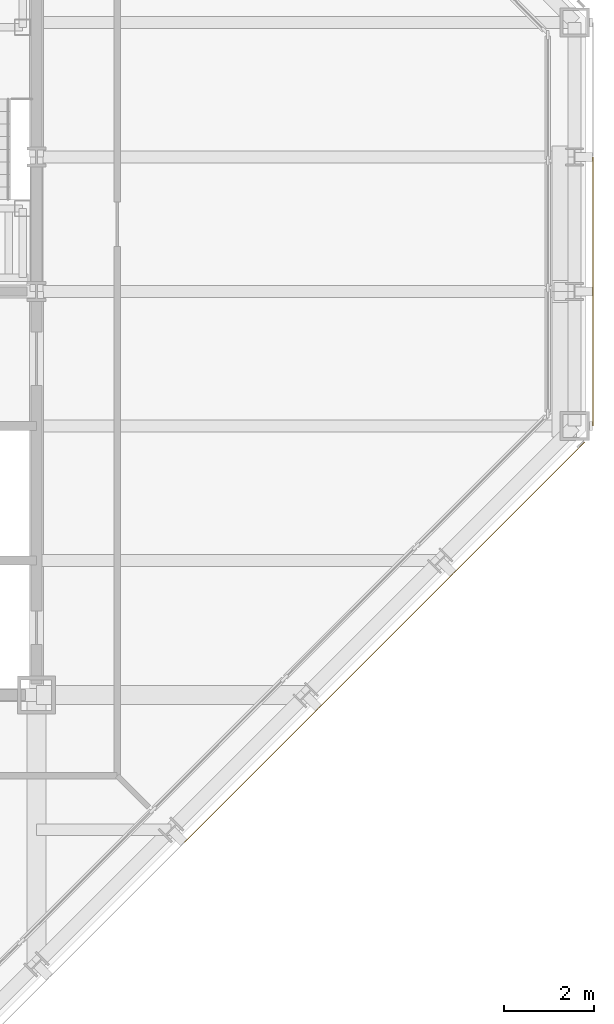
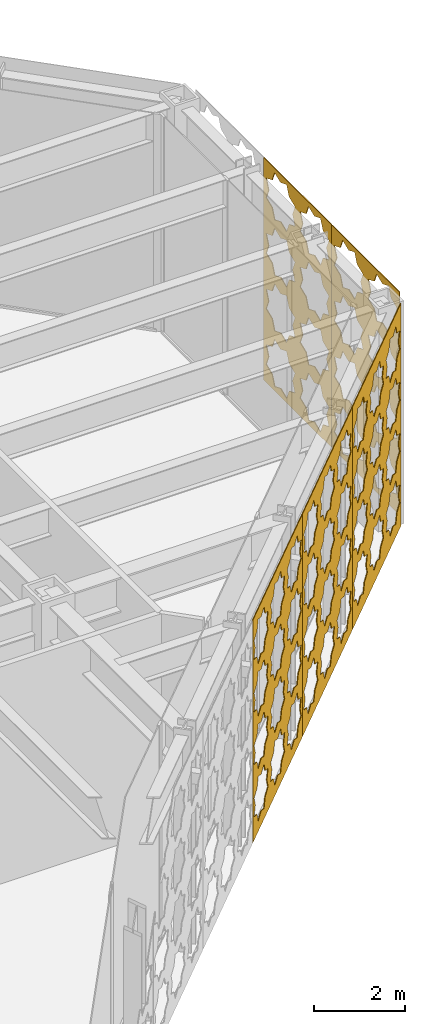
# One storey, part 24 of 28: 5 coverings.
"""IFC4 building model written with IfcOpenShell, lengths in metres."""

from ifc_helpers import new_model, si_unit, direction, frame, origin, place, context, subcontext, project, spatial, polyline, outline, extrude, material, layer, layer_set, type_object, element, save


model = new_model("IFC4")

# Units and contexts
model_context = context("Model", 3, precision=1e-05, world=origin(), true_north=direction((0.0, 1.0)))
body_context = subcontext(model_context, "Body", "Model", "MODEL_VIEW")
ifc_project = project(units=[si_unit("LENGTHUNIT", "METRE"), si_unit("AREAUNIT", "SQUARE_METRE"), si_unit("VOLUMEUNIT", "CUBIC_METRE"), si_unit("PLANEANGLEUNIT", "RADIAN"), si_unit("MASSUNIT", "GRAM", prefix="KILO")], contexts=[model_context])

# Site, building, storey
site_placement = place(None, origin())
site = spatial("IfcSite", under=ifc_project, at=site_placement, CompositionType="ELEMENT")
building_placement = place(site_placement, origin())
building = spatial("IfcBuilding", under=site, at=building_placement, Name="Chuquiago Exchange Tower", CompositionType="ELEMENT")
storey_placement = place(building_placement, frame((0.0, 0.0, 300.0)))
storey = spatial("IfcBuildingStorey", under=building, at=storey_placement, Name="L67", CompositionType="ELEMENT", Elevation=300.0)

# Coverings
ifc_material_1 = material(Name="Anodised aluminium, pale", Category="aluminium")
ifc_layer_1 = layer(ifc_material_1, 0.02001953125)
ifc_layer_set_1 = layer_set([ifc_layer_1], Name="GC3 girih cladding panel 20")
covering_type_1 = type_object("IfcCoveringType", Name="GC3 girih cladding panel 20", PredefinedType="CLADDING", material=ifc_layer_set_1)
covering_1_placement = place(storey_placement, frame((45.39990234375, 18.0048828125, 0.0048828125), z_axis=(0.0, 0.0, 1.0), x_axis=(0.0, 1.0, 0.0)))
element("IfcCovering", 1, at=covering_1_placement, inside=storey, type_object=covering_type_1, Name="Girih cladding panel L67 E 1", PredefinedType="CLADDING", context=body_context, shape_type="SweptSolid", body=[
    extrude(outline(polyline([(0.0, 0.0), (2.989990234375, 0.0), (2.989990234375, 5.990234375), (0.0, 5.990234375), (0.0, 0.0)]), holes=[polyline([(1.27392578125, 0.752685546875), (1.3828125, 1.015869140625), (1.11962890625, 1.124755859375), (1.0107421875, 1.387939453125), (0.74755859375, 1.279052734375), (0.484375, 1.387939453125), (0.375244140625, 1.124755859375), (0.112060546875, 1.015869140625), (0.22119140625, 0.752685546875), (0.112060546875, 0.489501953125), (0.375244140625, 0.38037109375), (0.484375, 0.1171875), (0.74755859375, 0.226318359375), (1.0107421875, 0.1171875), (1.11962890625, 0.38037109375), (1.3828125, 0.489501953125), (1.27392578125, 0.752685546875)]), polyline([(2.768798828125, 0.752685546875), (2.8779296875, 1.015869140625), (2.61474609375, 1.124755859375), (2.505615234375, 1.387939453125), (2.242431640625, 1.279052734375), (1.979248046875, 1.387939453125), (1.870361328125, 1.124755859375), (1.607177734375, 1.015869140625), (1.716064453125, 0.752685546875), (1.607177734375, 0.489501953125), (1.870361328125, 0.38037109375), (1.979248046875, 0.1171875), (2.242431640625, 0.226318359375), (2.505615234375, 0.1171875), (2.61474609375, 0.38037109375), (2.8779296875, 0.489501953125), (2.768798828125, 0.752685546875)]), polyline([(1.27392578125, 2.24755859375), (1.3828125, 2.5107421875), (1.11962890625, 2.619873046875), (1.0107421875, 2.883056640625), (0.74755859375, 2.77392578125), (0.484375, 2.883056640625), (0.375244140625, 2.619873046875), (0.112060546875, 2.5107421875), (0.22119140625, 2.24755859375), (0.112060546875, 1.984375), (0.375244140625, 1.87548828125), (0.484375, 1.6123046875), (0.74755859375, 1.72119140625), (1.0107421875, 1.6123046875), (1.11962890625, 1.87548828125), (1.3828125, 1.984375), (1.27392578125, 2.24755859375)]), polyline([(2.768798828125, 2.24755859375), (2.8779296875, 2.5107421875), (2.61474609375, 2.619873046875), (2.505615234375, 2.883056640625), (2.242431640625, 2.77392578125), (1.979248046875, 2.883056640625), (1.870361328125, 2.619873046875), (1.607177734375, 2.5107421875), (1.716064453125, 2.24755859375), (1.607177734375, 1.984375), (1.870361328125, 1.87548828125), (1.979248046875, 1.6123046875), (2.242431640625, 1.72119140625), (2.505615234375, 1.6123046875), (2.61474609375, 1.87548828125), (2.8779296875, 1.984375), (2.768798828125, 2.24755859375)]), polyline([(1.27392578125, 3.74267578125), (1.3828125, 4.005859375), (1.11962890625, 4.11474609375), (1.0107421875, 4.3779296875), (0.74755859375, 4.26904296875), (0.484375, 4.3779296875), (0.375244140625, 4.11474609375), (0.112060546875, 4.005859375), (0.22119140625, 3.74267578125), (0.112060546875, 3.4794921875), (0.375244140625, 3.370361328125), (0.484375, 3.107177734375), (0.74755859375, 3.21630859375), (1.0107421875, 3.107177734375), (1.11962890625, 3.370361328125), (1.3828125, 3.4794921875), (1.27392578125, 3.74267578125)]), polyline([(2.768798828125, 3.74267578125), (2.8779296875, 4.005859375), (2.61474609375, 4.11474609375), (2.505615234375, 4.3779296875), (2.242431640625, 4.26904296875), (1.979248046875, 4.3779296875), (1.870361328125, 4.11474609375), (1.607177734375, 4.005859375), (1.716064453125, 3.74267578125), (1.607177734375, 3.4794921875), (1.870361328125, 3.370361328125), (1.979248046875, 3.107177734375), (2.242431640625, 3.21630859375), (2.505615234375, 3.107177734375), (2.61474609375, 3.370361328125), (2.8779296875, 3.4794921875), (2.768798828125, 3.74267578125)]), polyline([(1.27392578125, 5.237548828125), (1.3828125, 5.500732421875), (1.11962890625, 5.60986328125), (1.0107421875, 5.873046875), (0.74755859375, 5.763916015625), (0.484375, 5.873046875), (0.375244140625, 5.60986328125), (0.112060546875, 5.500732421875), (0.22119140625, 5.237548828125), (0.112060546875, 4.974365234375), (0.375244140625, 4.865478515625), (0.484375, 4.602294921875), (0.74755859375, 4.711181640625), (1.0107421875, 4.602294921875), (1.11962890625, 4.865478515625), (1.3828125, 4.974365234375), (1.27392578125, 5.237548828125)]), polyline([(2.768798828125, 5.237548828125), (2.8779296875, 5.500732421875), (2.61474609375, 5.60986328125), (2.505615234375, 5.873046875), (2.242431640625, 5.763916015625), (1.979248046875, 5.873046875), (1.870361328125, 5.60986328125), (1.607177734375, 5.500732421875), (1.716064453125, 5.237548828125), (1.607177734375, 4.974365234375), (1.870361328125, 4.865478515625), (1.979248046875, 4.602294921875), (2.242431640625, 4.711181640625), (2.505615234375, 4.602294921875), (2.61474609375, 4.865478515625), (2.8779296875, 4.974365234375), (2.768798828125, 5.237548828125)])]), frame((0.0, 0.0, 0.0), z_axis=(0.0, -1.0, 0.0), x_axis=(1.0, 0.0, 0.0)), (0.0, 0.0, 1.0), 0.02001953125),
])
covering_2_placement = place(storey_placement, frame((45.39990234375, 21.0048828125, 0.0048828125), z_axis=(0.0, 0.0, 1.0), x_axis=(0.0, 1.0, 0.0)))
element("IfcCovering", 2, at=covering_2_placement, inside=storey, type_object=covering_type_1, Name="Girih cladding panel L67 E 2", PredefinedType="CLADDING", context=body_context, shape_type="SweptSolid", body=[
    extrude(outline(polyline([(0.0, 0.0), (2.989990234375, 0.0), (2.989990234375, 5.990234375), (0.0, 5.990234375), (0.0, 0.0)]), holes=[polyline([(1.27392578125, 0.752685546875), (1.3828125, 1.015869140625), (1.11962890625, 1.124755859375), (1.0107421875, 1.387939453125), (0.74755859375, 1.279052734375), (0.484375, 1.387939453125), (0.375244140625, 1.124755859375), (0.112060546875, 1.015869140625), (0.22119140625, 0.752685546875), (0.112060546875, 0.489501953125), (0.375244140625, 0.38037109375), (0.484375, 0.1171875), (0.74755859375, 0.226318359375), (1.0107421875, 0.1171875), (1.11962890625, 0.38037109375), (1.3828125, 0.489501953125), (1.27392578125, 0.752685546875)]), polyline([(2.768798828125, 0.752685546875), (2.8779296875, 1.015869140625), (2.61474609375, 1.124755859375), (2.505615234375, 1.387939453125), (2.242431640625, 1.279052734375), (1.979248046875, 1.387939453125), (1.870361328125, 1.124755859375), (1.607177734375, 1.015869140625), (1.716064453125, 0.752685546875), (1.607177734375, 0.489501953125), (1.870361328125, 0.38037109375), (1.979248046875, 0.1171875), (2.242431640625, 0.226318359375), (2.505615234375, 0.1171875), (2.61474609375, 0.38037109375), (2.8779296875, 0.489501953125), (2.768798828125, 0.752685546875)]), polyline([(1.27392578125, 2.24755859375), (1.3828125, 2.5107421875), (1.11962890625, 2.619873046875), (1.0107421875, 2.883056640625), (0.74755859375, 2.77392578125), (0.484375, 2.883056640625), (0.375244140625, 2.619873046875), (0.112060546875, 2.5107421875), (0.22119140625, 2.24755859375), (0.112060546875, 1.984375), (0.375244140625, 1.87548828125), (0.484375, 1.6123046875), (0.74755859375, 1.72119140625), (1.0107421875, 1.6123046875), (1.11962890625, 1.87548828125), (1.3828125, 1.984375), (1.27392578125, 2.24755859375)]), polyline([(2.768798828125, 2.24755859375), (2.8779296875, 2.5107421875), (2.61474609375, 2.619873046875), (2.505615234375, 2.883056640625), (2.242431640625, 2.77392578125), (1.979248046875, 2.883056640625), (1.870361328125, 2.619873046875), (1.607177734375, 2.5107421875), (1.716064453125, 2.24755859375), (1.607177734375, 1.984375), (1.870361328125, 1.87548828125), (1.979248046875, 1.6123046875), (2.242431640625, 1.72119140625), (2.505615234375, 1.6123046875), (2.61474609375, 1.87548828125), (2.8779296875, 1.984375), (2.768798828125, 2.24755859375)]), polyline([(1.27392578125, 3.74267578125), (1.3828125, 4.005859375), (1.11962890625, 4.11474609375), (1.0107421875, 4.3779296875), (0.74755859375, 4.26904296875), (0.484375, 4.3779296875), (0.375244140625, 4.11474609375), (0.112060546875, 4.005859375), (0.22119140625, 3.74267578125), (0.112060546875, 3.4794921875), (0.375244140625, 3.370361328125), (0.484375, 3.107177734375), (0.74755859375, 3.21630859375), (1.0107421875, 3.107177734375), (1.11962890625, 3.370361328125), (1.3828125, 3.4794921875), (1.27392578125, 3.74267578125)]), polyline([(2.768798828125, 3.74267578125), (2.8779296875, 4.005859375), (2.61474609375, 4.11474609375), (2.505615234375, 4.3779296875), (2.242431640625, 4.26904296875), (1.979248046875, 4.3779296875), (1.870361328125, 4.11474609375), (1.607177734375, 4.005859375), (1.716064453125, 3.74267578125), (1.607177734375, 3.4794921875), (1.870361328125, 3.370361328125), (1.979248046875, 3.107177734375), (2.242431640625, 3.21630859375), (2.505615234375, 3.107177734375), (2.61474609375, 3.370361328125), (2.8779296875, 3.4794921875), (2.768798828125, 3.74267578125)]), polyline([(1.27392578125, 5.237548828125), (1.3828125, 5.500732421875), (1.11962890625, 5.60986328125), (1.0107421875, 5.873046875), (0.74755859375, 5.763916015625), (0.484375, 5.873046875), (0.375244140625, 5.60986328125), (0.112060546875, 5.500732421875), (0.22119140625, 5.237548828125), (0.112060546875, 4.974365234375), (0.375244140625, 4.865478515625), (0.484375, 4.602294921875), (0.74755859375, 4.711181640625), (1.0107421875, 4.602294921875), (1.11962890625, 4.865478515625), (1.3828125, 4.974365234375), (1.27392578125, 5.237548828125)]), polyline([(2.768798828125, 5.237548828125), (2.8779296875, 5.500732421875), (2.61474609375, 5.60986328125), (2.505615234375, 5.873046875), (2.242431640625, 5.763916015625), (1.979248046875, 5.873046875), (1.870361328125, 5.60986328125), (1.607177734375, 5.500732421875), (1.716064453125, 5.237548828125), (1.607177734375, 4.974365234375), (1.870361328125, 4.865478515625), (1.979248046875, 4.602294921875), (2.242431640625, 4.711181640625), (2.505615234375, 4.602294921875), (2.61474609375, 4.865478515625), (2.8779296875, 4.974365234375), (2.768798828125, 5.237548828125)])]), frame((0.0, 0.0, 0.0), z_axis=(0.0, -1.0, 0.0), x_axis=(1.0, 0.0, 0.0)), (0.0, 0.0, 1.0), 0.02001953125),
])
ifc_material_2 = material(Name="Anodised aluminium, pale", Category="aluminium")
ifc_layer_2 = layer(ifc_material_2, 0.02001953125)
ifc_layer_set_2 = layer_set([ifc_layer_2], Name="GC4 girih cladding panel 20")
covering_type_2 = type_object("IfcCoveringType", Name="GC4 girih cladding panel 20", PredefinedType="CLADDING", material=ifc_layer_set_2)
covering_3_placement = place(storey_placement, frame((36.286376953125, 8.720703125, 0.0048828125), z_axis=(0.0, 0.0, 1.0), x_axis=(0.707106781187, 0.707106781187, 0.0)))
element("IfcCovering", 3, at=covering_3_placement, inside=storey, type_object=covering_type_2, Name="Girih cladding panel L67 SE 4", PredefinedType="CLADDING", context=body_context, shape_type="SweptSolid", body=[
    extrude(outline(polyline([(0.0, 0.0), (4.232666015625, 0.0), (4.232666015625, 5.990234375), (0.0, 5.990234375), (0.0, 0.0)]), holes=[polyline([(1.2021484375, 0.878662109375), (1.304931640625, 1.127197265625), (1.056640625, 1.22998046875), (0.953857421875, 1.478271484375), (0.70556640625, 1.37548828125), (0.45703125, 1.478271484375), (0.354248046875, 1.22998046875), (0.10595703125, 1.127197265625), (0.208740234375, 0.878662109375), (0.10595703125, 0.63037109375), (0.354248046875, 0.527587890625), (0.45703125, 0.279296875), (0.705322265625, 0.382080078125), (0.953857421875, 0.279296875), (1.056640625, 0.527587890625), (1.304931640625, 0.63037109375), (1.2021484375, 0.878662109375)]), polyline([(2.613037109375, 0.878662109375), (2.7158203125, 1.127197265625), (2.467529296875, 1.22998046875), (2.36474609375, 1.478271484375), (2.116455078125, 1.37548828125), (1.867919921875, 1.478271484375), (1.76513671875, 1.22998046875), (1.516845703125, 1.127197265625), (1.61962890625, 0.878662109375), (1.516845703125, 0.63037109375), (1.76513671875, 0.527587890625), (1.867919921875, 0.279296875), (2.116455078125, 0.382080078125), (2.36474609375, 0.279296875), (2.467529296875, 0.527587890625), (2.7158203125, 0.63037109375), (2.613037109375, 0.878662109375)]), polyline([(4.02392578125, 0.878662109375), (4.126708984375, 1.127197265625), (3.87841796875, 1.22998046875), (3.775634765625, 1.478271484375), (3.527099609375, 1.37548828125), (3.27880859375, 1.478271484375), (3.176025390625, 1.22998046875), (2.927734375, 1.127197265625), (3.030517578125, 0.878662109375), (2.927734375, 0.63037109375), (3.176025390625, 0.527587890625), (3.27880859375, 0.279296875), (3.527099609375, 0.382080078125), (3.775634765625, 0.279296875), (3.87841796875, 0.527587890625), (4.126708984375, 0.63037109375), (4.02392578125, 0.878662109375)]), polyline([(1.2021484375, 2.289794921875), (1.304931640625, 2.5380859375), (1.056640625, 2.640869140625), (0.953857421875, 2.88916015625), (0.70556640625, 2.786376953125), (0.45703125, 2.88916015625), (0.354248046875, 2.640869140625), (0.10595703125, 2.5380859375), (0.208740234375, 2.289794921875), (0.10595703125, 2.041259765625), (0.354248046875, 1.9384765625), (0.45703125, 1.690185546875), (0.705322265625, 1.79296875), (0.953857421875, 1.690185546875), (1.056640625, 1.9384765625), (1.304931640625, 2.041259765625), (1.2021484375, 2.289794921875)]), polyline([(2.613037109375, 2.289794921875), (2.7158203125, 2.5380859375), (2.467529296875, 2.640869140625), (2.36474609375, 2.88916015625), (2.116455078125, 2.786376953125), (1.867919921875, 2.88916015625), (1.76513671875, 2.640869140625), (1.516845703125, 2.5380859375), (1.61962890625, 2.289794921875), (1.516845703125, 2.041259765625), (1.76513671875, 1.9384765625), (1.867919921875, 1.690185546875), (2.116455078125, 1.79296875), (2.36474609375, 1.690185546875), (2.467529296875, 1.9384765625), (2.7158203125, 2.041259765625), (2.613037109375, 2.289794921875)]), polyline([(4.02392578125, 2.289794921875), (4.126708984375, 2.5380859375), (3.87841796875, 2.640869140625), (3.775634765625, 2.88916015625), (3.527099609375, 2.786376953125), (3.27880859375, 2.88916015625), (3.176025390625, 2.640869140625), (2.927734375, 2.5380859375), (3.030517578125, 2.289794921875), (2.927734375, 2.041259765625), (3.176025390625, 1.9384765625), (3.27880859375, 1.690185546875), (3.527099609375, 1.79296875), (3.775634765625, 1.690185546875), (3.87841796875, 1.9384765625), (4.126708984375, 2.041259765625), (4.02392578125, 2.289794921875)]), polyline([(1.2021484375, 3.700439453125), (1.304931640625, 3.948974609375), (1.056640625, 4.0517578125), (0.953857421875, 4.300048828125), (0.70556640625, 4.197265625), (0.45703125, 4.300048828125), (0.354248046875, 4.0517578125), (0.10595703125, 3.948974609375), (0.208740234375, 3.700439453125), (0.10595703125, 3.4521484375), (0.354248046875, 3.349365234375), (0.45703125, 3.10107421875), (0.705322265625, 3.203857421875), (0.953857421875, 3.10107421875), (1.056640625, 3.349365234375), (1.304931640625, 3.4521484375), (1.2021484375, 3.700439453125)]), polyline([(2.613037109375, 3.700439453125), (2.7158203125, 3.948974609375), (2.467529296875, 4.0517578125), (2.36474609375, 4.300048828125), (2.116455078125, 4.197265625), (1.867919921875, 4.300048828125), (1.76513671875, 4.0517578125), (1.516845703125, 3.948974609375), (1.61962890625, 3.700439453125), (1.516845703125, 3.4521484375), (1.76513671875, 3.349365234375), (1.867919921875, 3.10107421875), (2.116455078125, 3.203857421875), (2.36474609375, 3.10107421875), (2.467529296875, 3.349365234375), (2.7158203125, 3.4521484375), (2.613037109375, 3.700439453125)]), polyline([(4.02392578125, 3.700439453125), (4.126708984375, 3.948974609375), (3.87841796875, 4.0517578125), (3.775634765625, 4.300048828125), (3.527099609375, 4.197265625), (3.27880859375, 4.300048828125), (3.176025390625, 4.0517578125), (2.927734375, 3.948974609375), (3.030517578125, 3.700439453125), (2.927734375, 3.4521484375), (3.176025390625, 3.349365234375), (3.27880859375, 3.10107421875), (3.527099609375, 3.203857421875), (3.775634765625, 3.10107421875), (3.87841796875, 3.349365234375), (4.126708984375, 3.4521484375), (4.02392578125, 3.700439453125)]), polyline([(1.2021484375, 5.111572265625), (1.304931640625, 5.35986328125), (1.056640625, 5.462646484375), (0.953857421875, 5.7109375), (0.70556640625, 5.608154296875), (0.45703125, 5.7109375), (0.354248046875, 5.462646484375), (0.10595703125, 5.35986328125), (0.208740234375, 5.111572265625), (0.10595703125, 4.863037109375), (0.354248046875, 4.76025390625), (0.45703125, 4.511962890625), (0.705322265625, 4.61474609375), (0.953857421875, 4.511962890625), (1.056640625, 4.76025390625), (1.304931640625, 4.863037109375), (1.2021484375, 5.111572265625)]), polyline([(2.613037109375, 5.111572265625), (2.7158203125, 5.35986328125), (2.467529296875, 5.462646484375), (2.36474609375, 5.7109375), (2.116455078125, 5.608154296875), (1.867919921875, 5.7109375), (1.76513671875, 5.462646484375), (1.516845703125, 5.35986328125), (1.61962890625, 5.111572265625), (1.516845703125, 4.863037109375), (1.76513671875, 4.76025390625), (1.867919921875, 4.511962890625), (2.116455078125, 4.61474609375), (2.36474609375, 4.511962890625), (2.467529296875, 4.76025390625), (2.7158203125, 4.863037109375), (2.613037109375, 5.111572265625)]), polyline([(4.02392578125, 5.111572265625), (4.126708984375, 5.35986328125), (3.87841796875, 5.462646484375), (3.775634765625, 5.7109375), (3.527099609375, 5.608154296875), (3.27880859375, 5.7109375), (3.176025390625, 5.462646484375), (2.927734375, 5.35986328125), (3.030517578125, 5.111572265625), (2.927734375, 4.863037109375), (3.176025390625, 4.76025390625), (3.27880859375, 4.511962890625), (3.527099609375, 4.61474609375), (3.775634765625, 4.511962890625), (3.87841796875, 4.76025390625), (4.126708984375, 4.863037109375), (4.02392578125, 5.111572265625)])]), frame((0.0, 0.0, 0.0), z_axis=(0.0, -1.0, 0.0), x_axis=(1.0, 0.0, 0.0)), (0.0, 0.0, 1.0), 0.02001953125),
])
covering_4_placement = place(storey_placement, frame((39.286376953125, 11.720703125, 0.0048828125), z_axis=(0.0, 0.0, 1.0), x_axis=(0.707106781187, 0.707106781187, 0.0)))
element("IfcCovering", 4, at=covering_4_placement, inside=storey, type_object=covering_type_2, Name="Girih cladding panel L67 SE 5", PredefinedType="CLADDING", context=body_context, shape_type="SweptSolid", body=[
    extrude(outline(polyline([(0.0, 0.0), (4.232666015625, 0.0), (4.232666015625, 5.990234375), (0.0, 5.990234375), (0.0, 0.0)]), holes=[polyline([(1.2021484375, 0.878662109375), (1.304931640625, 1.127197265625), (1.056640625, 1.22998046875), (0.953857421875, 1.478271484375), (0.70556640625, 1.37548828125), (0.45703125, 1.478271484375), (0.354248046875, 1.22998046875), (0.10595703125, 1.127197265625), (0.208740234375, 0.878662109375), (0.10595703125, 0.63037109375), (0.354248046875, 0.527587890625), (0.45703125, 0.279296875), (0.705322265625, 0.382080078125), (0.953857421875, 0.279296875), (1.056640625, 0.527587890625), (1.304931640625, 0.63037109375), (1.2021484375, 0.878662109375)]), polyline([(2.613037109375, 0.878662109375), (2.7158203125, 1.127197265625), (2.467529296875, 1.22998046875), (2.36474609375, 1.478271484375), (2.116455078125, 1.37548828125), (1.867919921875, 1.478271484375), (1.76513671875, 1.22998046875), (1.516845703125, 1.127197265625), (1.61962890625, 0.878662109375), (1.516845703125, 0.63037109375), (1.76513671875, 0.527587890625), (1.867919921875, 0.279296875), (2.116455078125, 0.382080078125), (2.36474609375, 0.279296875), (2.467529296875, 0.527587890625), (2.7158203125, 0.63037109375), (2.613037109375, 0.878662109375)]), polyline([(4.02392578125, 0.878662109375), (4.126708984375, 1.127197265625), (3.87841796875, 1.22998046875), (3.775634765625, 1.478271484375), (3.527099609375, 1.37548828125), (3.27880859375, 1.478271484375), (3.176025390625, 1.22998046875), (2.927734375, 1.127197265625), (3.030517578125, 0.878662109375), (2.927734375, 0.63037109375), (3.176025390625, 0.527587890625), (3.27880859375, 0.279296875), (3.527099609375, 0.382080078125), (3.775634765625, 0.279296875), (3.87841796875, 0.527587890625), (4.126708984375, 0.63037109375), (4.02392578125, 0.878662109375)]), polyline([(1.2021484375, 2.289794921875), (1.304931640625, 2.5380859375), (1.056640625, 2.640869140625), (0.953857421875, 2.88916015625), (0.70556640625, 2.786376953125), (0.45703125, 2.88916015625), (0.354248046875, 2.640869140625), (0.10595703125, 2.5380859375), (0.208740234375, 2.289794921875), (0.10595703125, 2.041259765625), (0.354248046875, 1.9384765625), (0.45703125, 1.690185546875), (0.705322265625, 1.79296875), (0.953857421875, 1.690185546875), (1.056640625, 1.9384765625), (1.304931640625, 2.041259765625), (1.2021484375, 2.289794921875)]), polyline([(2.613037109375, 2.289794921875), (2.7158203125, 2.5380859375), (2.467529296875, 2.640869140625), (2.36474609375, 2.88916015625), (2.116455078125, 2.786376953125), (1.867919921875, 2.88916015625), (1.76513671875, 2.640869140625), (1.516845703125, 2.5380859375), (1.61962890625, 2.289794921875), (1.516845703125, 2.041259765625), (1.76513671875, 1.9384765625), (1.867919921875, 1.690185546875), (2.116455078125, 1.79296875), (2.36474609375, 1.690185546875), (2.467529296875, 1.9384765625), (2.7158203125, 2.041259765625), (2.613037109375, 2.289794921875)]), polyline([(4.02392578125, 2.289794921875), (4.126708984375, 2.5380859375), (3.87841796875, 2.640869140625), (3.775634765625, 2.88916015625), (3.527099609375, 2.786376953125), (3.27880859375, 2.88916015625), (3.176025390625, 2.640869140625), (2.927734375, 2.5380859375), (3.030517578125, 2.289794921875), (2.927734375, 2.041259765625), (3.176025390625, 1.9384765625), (3.27880859375, 1.690185546875), (3.527099609375, 1.79296875), (3.775634765625, 1.690185546875), (3.87841796875, 1.9384765625), (4.126708984375, 2.041259765625), (4.02392578125, 2.289794921875)]), polyline([(1.2021484375, 3.700439453125), (1.304931640625, 3.948974609375), (1.056640625, 4.0517578125), (0.953857421875, 4.300048828125), (0.70556640625, 4.197265625), (0.45703125, 4.300048828125), (0.354248046875, 4.0517578125), (0.10595703125, 3.948974609375), (0.208740234375, 3.700439453125), (0.10595703125, 3.4521484375), (0.354248046875, 3.349365234375), (0.45703125, 3.10107421875), (0.705322265625, 3.203857421875), (0.953857421875, 3.10107421875), (1.056640625, 3.349365234375), (1.304931640625, 3.4521484375), (1.2021484375, 3.700439453125)]), polyline([(2.613037109375, 3.700439453125), (2.7158203125, 3.948974609375), (2.467529296875, 4.0517578125), (2.36474609375, 4.300048828125), (2.116455078125, 4.197265625), (1.867919921875, 4.300048828125), (1.76513671875, 4.0517578125), (1.516845703125, 3.948974609375), (1.61962890625, 3.700439453125), (1.516845703125, 3.4521484375), (1.76513671875, 3.349365234375), (1.867919921875, 3.10107421875), (2.116455078125, 3.203857421875), (2.36474609375, 3.10107421875), (2.467529296875, 3.349365234375), (2.7158203125, 3.4521484375), (2.613037109375, 3.700439453125)]), polyline([(4.02392578125, 3.700439453125), (4.126708984375, 3.948974609375), (3.87841796875, 4.0517578125), (3.775634765625, 4.300048828125), (3.527099609375, 4.197265625), (3.27880859375, 4.300048828125), (3.176025390625, 4.0517578125), (2.927734375, 3.948974609375), (3.030517578125, 3.700439453125), (2.927734375, 3.4521484375), (3.176025390625, 3.349365234375), (3.27880859375, 3.10107421875), (3.527099609375, 3.203857421875), (3.775634765625, 3.10107421875), (3.87841796875, 3.349365234375), (4.126708984375, 3.4521484375), (4.02392578125, 3.700439453125)]), polyline([(1.2021484375, 5.111572265625), (1.304931640625, 5.35986328125), (1.056640625, 5.462646484375), (0.953857421875, 5.7109375), (0.70556640625, 5.608154296875), (0.45703125, 5.7109375), (0.354248046875, 5.462646484375), (0.10595703125, 5.35986328125), (0.208740234375, 5.111572265625), (0.10595703125, 4.863037109375), (0.354248046875, 4.76025390625), (0.45703125, 4.511962890625), (0.705322265625, 4.61474609375), (0.953857421875, 4.511962890625), (1.056640625, 4.76025390625), (1.304931640625, 4.863037109375), (1.2021484375, 5.111572265625)]), polyline([(2.613037109375, 5.111572265625), (2.7158203125, 5.35986328125), (2.467529296875, 5.462646484375), (2.36474609375, 5.7109375), (2.116455078125, 5.608154296875), (1.867919921875, 5.7109375), (1.76513671875, 5.462646484375), (1.516845703125, 5.35986328125), (1.61962890625, 5.111572265625), (1.516845703125, 4.863037109375), (1.76513671875, 4.76025390625), (1.867919921875, 4.511962890625), (2.116455078125, 4.61474609375), (2.36474609375, 4.511962890625), (2.467529296875, 4.76025390625), (2.7158203125, 4.863037109375), (2.613037109375, 5.111572265625)]), polyline([(4.02392578125, 5.111572265625), (4.126708984375, 5.35986328125), (3.87841796875, 5.462646484375), (3.775634765625, 5.7109375), (3.527099609375, 5.608154296875), (3.27880859375, 5.7109375), (3.176025390625, 5.462646484375), (2.927734375, 5.35986328125), (3.030517578125, 5.111572265625), (2.927734375, 4.863037109375), (3.176025390625, 4.76025390625), (3.27880859375, 4.511962890625), (3.527099609375, 4.61474609375), (3.775634765625, 4.511962890625), (3.87841796875, 4.76025390625), (4.126708984375, 4.863037109375), (4.02392578125, 5.111572265625)])]), frame((0.0, 0.0, 0.0), z_axis=(0.0, -1.0, 0.0), x_axis=(1.0, 0.0, 0.0)), (0.0, 0.0, 1.0), 0.02001953125),
])
ifc_material_3 = material(Name="Anodised aluminium, pale", Category="aluminium")
ifc_layer_3 = layer(ifc_material_3, 0.02001953125)
ifc_layer_set_3 = layer_set([ifc_layer_3], Name="GC7 girih cladding panel 20")
covering_type_3 = type_object("IfcCoveringType", Name="GC7 girih cladding panel 20", PredefinedType="CLADDING", material=ifc_layer_set_3)
covering_5_placement = place(storey_placement, frame((42.286376953125, 14.720703125, 0.0048828125), z_axis=(0.0, 0.0, 1.0), x_axis=(0.707106781187, 0.707106781187, 0.0)))
element("IfcCovering", 5, at=covering_5_placement, inside=storey, type_object=covering_type_3, Name="Girih cladding panel L67 SE 6", PredefinedType="CLADDING", context=body_context, shape_type="SweptSolid", body=[
    extrude(outline(polyline([(0.0, 0.0), (4.142578125, 0.0), (4.142578125, 5.990234375), (0.0, 5.990234375), (0.0, 0.0)]), holes=[polyline([(1.176513671875, 0.923828125), (1.27734375, 1.166748046875), (1.0341796875, 1.267578125), (0.93359375, 1.510498046875), (0.6904296875, 1.409912109375), (0.447509765625, 1.510498046875), (0.3466796875, 1.267578125), (0.103515625, 1.166748046875), (0.204345703125, 0.923828125), (0.103515625, 0.6806640625), (0.3466796875, 0.580078125), (0.447509765625, 0.3369140625), (0.6904296875, 0.4375), (0.93359375, 0.3369140625), (1.0341796875, 0.580078125), (1.27734375, 0.6806640625), (1.176513671875, 0.923828125)]), polyline([(2.5576171875, 0.923828125), (2.658203125, 1.166748046875), (2.4150390625, 1.267578125), (2.314453125, 1.510498046875), (2.0712890625, 1.409912109375), (1.828369140625, 1.510498046875), (1.7275390625, 1.267578125), (1.484619140625, 1.166748046875), (1.585205078125, 0.923828125), (1.484619140625, 0.6806640625), (1.7275390625, 0.580078125), (1.828369140625, 0.3369140625), (2.0712890625, 0.4375), (2.314453125, 0.3369140625), (2.4150390625, 0.580078125), (2.658203125, 0.6806640625), (2.5576171875, 0.923828125)]), polyline([(3.9384765625, 0.923828125), (4.0390625, 1.166748046875), (3.7958984375, 1.267578125), (3.6953125, 1.510498046875), (3.452392578125, 1.409912109375), (3.209228515625, 1.510498046875), (3.1083984375, 1.267578125), (2.865478515625, 1.166748046875), (2.966064453125, 0.923828125), (2.865478515625, 0.6806640625), (3.1083984375, 0.580078125), (3.209228515625, 0.3369140625), (3.452392578125, 0.4375), (3.6953125, 0.3369140625), (3.7958984375, 0.580078125), (4.0390625, 0.6806640625), (3.9384765625, 0.923828125)]), polyline([(1.176513671875, 2.3046875), (1.27734375, 2.547607421875), (1.0341796875, 2.6484375), (0.93359375, 2.8916015625), (0.6904296875, 2.790771484375), (0.447509765625, 2.8916015625), (0.3466796875, 2.6484375), (0.103515625, 2.547607421875), (0.204345703125, 2.3046875), (0.103515625, 2.0615234375), (0.3466796875, 1.9609375), (0.447509765625, 1.7177734375), (0.6904296875, 1.818603515625), (0.93359375, 1.7177734375), (1.0341796875, 1.9609375), (1.27734375, 2.0615234375), (1.176513671875, 2.3046875)]), polyline([(2.5576171875, 2.3046875), (2.658203125, 2.547607421875), (2.4150390625, 2.6484375), (2.314453125, 2.8916015625), (2.0712890625, 2.790771484375), (1.828369140625, 2.8916015625), (1.7275390625, 2.6484375), (1.484619140625, 2.547607421875), (1.585205078125, 2.3046875), (1.484619140625, 2.0615234375), (1.7275390625, 1.9609375), (1.828369140625, 1.7177734375), (2.0712890625, 1.818603515625), (2.314453125, 1.7177734375), (2.4150390625, 1.9609375), (2.658203125, 2.0615234375), (2.5576171875, 2.3046875)]), polyline([(3.9384765625, 2.3046875), (4.0390625, 2.547607421875), (3.7958984375, 2.6484375), (3.6953125, 2.8916015625), (3.452392578125, 2.790771484375), (3.209228515625, 2.8916015625), (3.1083984375, 2.6484375), (2.865478515625, 2.547607421875), (2.966064453125, 2.3046875), (2.865478515625, 2.0615234375), (3.1083984375, 1.9609375), (3.209228515625, 1.7177734375), (3.452392578125, 1.818603515625), (3.6953125, 1.7177734375), (3.7958984375, 1.9609375), (4.0390625, 2.0615234375), (3.9384765625, 2.3046875)]), polyline([(1.176513671875, 3.685546875), (1.27734375, 3.9287109375), (1.0341796875, 4.029296875), (0.93359375, 4.2724609375), (0.6904296875, 4.171630859375), (0.447509765625, 4.2724609375), (0.3466796875, 4.029296875), (0.103515625, 3.9287109375), (0.204345703125, 3.685546875), (0.103515625, 3.442626953125), (0.3466796875, 3.341796875), (0.447509765625, 3.0986328125), (0.6904296875, 3.199462890625), (0.93359375, 3.0986328125), (1.0341796875, 3.341796875), (1.27734375, 3.442626953125), (1.176513671875, 3.685546875)]), polyline([(2.5576171875, 3.685546875), (2.658203125, 3.9287109375), (2.4150390625, 4.029296875), (2.314453125, 4.2724609375), (2.0712890625, 4.171630859375), (1.828369140625, 4.2724609375), (1.7275390625, 4.029296875), (1.484619140625, 3.9287109375), (1.585205078125, 3.685546875), (1.484619140625, 3.442626953125), (1.7275390625, 3.341796875), (1.828369140625, 3.0986328125), (2.0712890625, 3.199462890625), (2.314453125, 3.0986328125), (2.4150390625, 3.341796875), (2.658203125, 3.442626953125), (2.5576171875, 3.685546875)]), polyline([(3.9384765625, 3.685546875), (4.0390625, 3.9287109375), (3.7958984375, 4.029296875), (3.6953125, 4.2724609375), (3.452392578125, 4.171630859375), (3.209228515625, 4.2724609375), (3.1083984375, 4.029296875), (2.865478515625, 3.9287109375), (2.966064453125, 3.685546875), (2.865478515625, 3.442626953125), (3.1083984375, 3.341796875), (3.209228515625, 3.0986328125), (3.452392578125, 3.199462890625), (3.6953125, 3.0986328125), (3.7958984375, 3.341796875), (4.0390625, 3.442626953125), (3.9384765625, 3.685546875)]), polyline([(1.176513671875, 5.06640625), (1.27734375, 5.3095703125), (1.0341796875, 5.41015625), (0.93359375, 5.6533203125), (0.6904296875, 5.552734375), (0.447509765625, 5.6533203125), (0.3466796875, 5.41015625), (0.103515625, 5.3095703125), (0.204345703125, 5.06640625), (0.103515625, 4.823486328125), (0.3466796875, 4.72265625), (0.447509765625, 4.479736328125), (0.6904296875, 4.580322265625), (0.93359375, 4.479736328125), (1.0341796875, 4.72265625), (1.27734375, 4.823486328125), (1.176513671875, 5.06640625)]), polyline([(2.5576171875, 5.06640625), (2.658203125, 5.3095703125), (2.4150390625, 5.41015625), (2.314453125, 5.6533203125), (2.0712890625, 5.552734375), (1.828369140625, 5.6533203125), (1.7275390625, 5.41015625), (1.484619140625, 5.3095703125), (1.585205078125, 5.06640625), (1.484619140625, 4.823486328125), (1.7275390625, 4.72265625), (1.828369140625, 4.479736328125), (2.0712890625, 4.580322265625), (2.314453125, 4.479736328125), (2.4150390625, 4.72265625), (2.658203125, 4.823486328125), (2.5576171875, 5.06640625)]), polyline([(3.9384765625, 5.06640625), (4.0390625, 5.3095703125), (3.7958984375, 5.41015625), (3.6953125, 5.6533203125), (3.452392578125, 5.552734375), (3.209228515625, 5.6533203125), (3.1083984375, 5.41015625), (2.865478515625, 5.3095703125), (2.966064453125, 5.06640625), (2.865478515625, 4.823486328125), (3.1083984375, 4.72265625), (3.209228515625, 4.479736328125), (3.452392578125, 4.580322265625), (3.6953125, 4.479736328125), (3.7958984375, 4.72265625), (4.0390625, 4.823486328125), (3.9384765625, 5.06640625)])]), frame((0.0, 0.0, 0.0), z_axis=(0.0, -1.0, 0.0), x_axis=(1.0, 0.0, 0.0)), (0.0, 0.0, 1.0), 0.02001953125),
])

save(model, "model.ifc")
